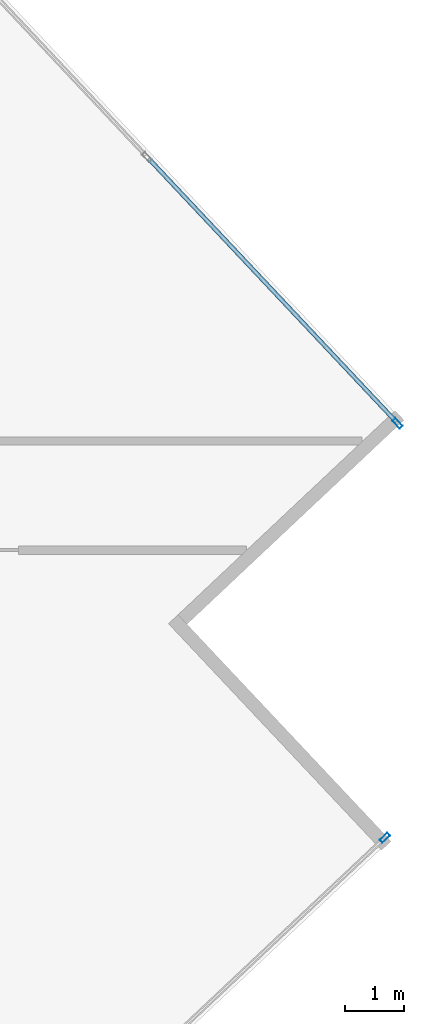
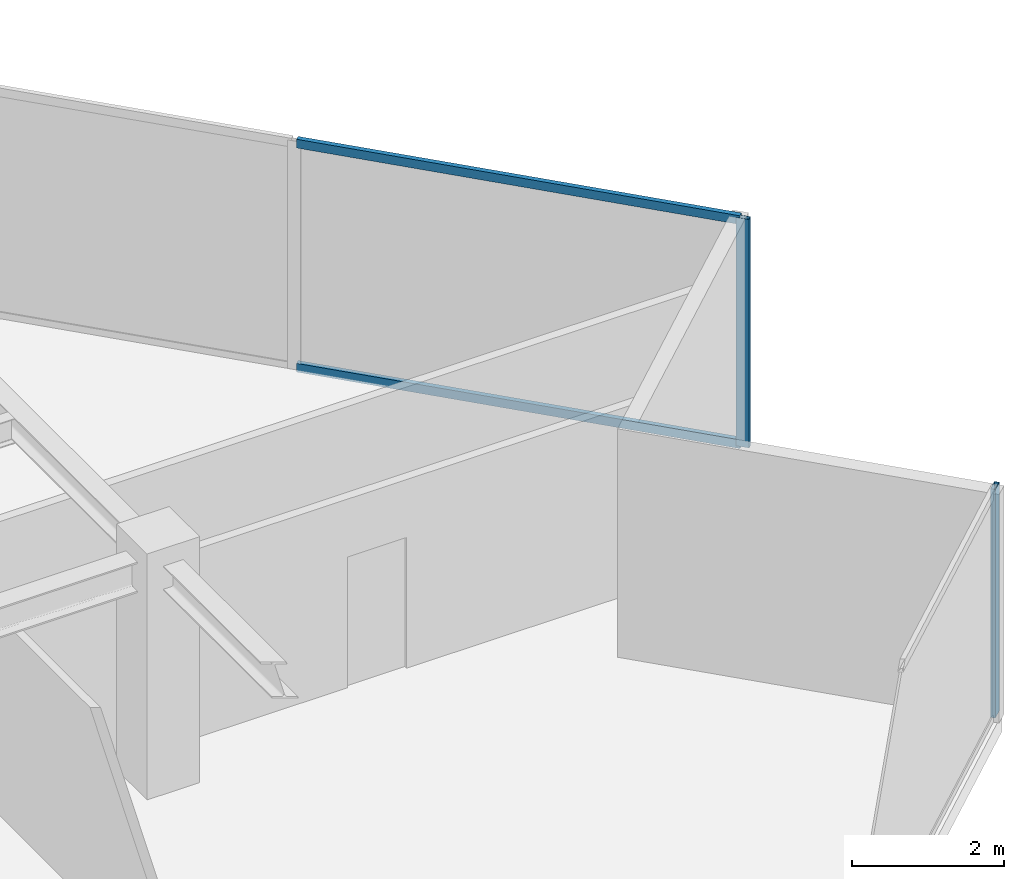
# One storey, part 12 of 24: 4 members, 2 elements without a shape of their own.
"""IFC4 building model written with IfcOpenShell, lengths in metres."""

from ifc_helpers import new_model, si_unit, direction, frame, origin, origin_2d, place, context, subcontext, project, spatial, hollow_rectangle, extrude, source, transform, mapped, material, material_profile, profile_set, type_object, type_shapes, element, aggregate, save


model = new_model("IFC4")

# Units and contexts
model_context = context("Model", 3, precision=1e-05, world=origin(), true_north=direction((0.0, 1.0)))
body_context = subcontext(model_context, "Body", "Model", "MODEL_VIEW")
ifc_project = project(units=[si_unit("LENGTHUNIT", "METRE"), si_unit("AREAUNIT", "SQUARE_METRE"), si_unit("VOLUMEUNIT", "CUBIC_METRE"), si_unit("PLANEANGLEUNIT", "RADIAN"), si_unit("MASSUNIT", "GRAM", prefix="KILO")], contexts=[model_context])

# Site, building, storey
site_placement = place(None, origin())
site = spatial("IfcSite", under=ifc_project, at=site_placement, CompositionType="ELEMENT")
building_placement = place(site_placement, origin())
building = spatial("IfcBuilding", under=site, at=building_placement, Name="Krantzveldt Concourse Tower", CompositionType="ELEMENT")
storey_placement = place(building_placement, frame((0.0, 0.0, 246.800048828125)))
storey = spatial("IfcBuildingStorey", under=building, at=storey_placement, Name="L60", CompositionType="ELEMENT", Elevation=246.800048828125)

# Curtain wall, member
ifc_material = material(Name="Anodised aluminium 6063-T6", Category="aluminium")
curtain_wall_type = type_object("IfcCurtainWallType", Name="CW3", PredefinedType="USERDEFINED", material=ifc_material)
curtain_wall_1_placement = place(storey_placement, origin())
curtain_wall_1 = element("IfcCurtainWall", 1, at=curtain_wall_1_placement, inside=storey, type_object=curtain_wall_type, Name="CW-L60-F11", ObjectType="UNITISED CURTAIN WALL", PredefinedType="USERDEFINED")
ifc_material_profile_1 = material_profile(ifc_material, hollow_rectangle(XDim=0.070068359375, YDim=0.179931640625, WallThickness=0.0048828125, at=origin_2d()), Name="Anodised aluminium 6063-T6", Category="aluminium")
ifc_profile_set_1 = profile_set([ifc_material_profile_1], Name="Anodised aluminium 6063-T6 - ALU-MULL 180x70x5")
member_type_1 = type_object("IfcMemberType", Name="CW-MUL-180", PredefinedType="MULLION", material=ifc_profile_set_1)
shared_shape_1 = source(origin(), body_context, "Body", "SweptSolid", [
    extrude(hollow_rectangle(XDim=0.070068359375, YDim=0.179931640625, WallThickness=0.0048828125, at=origin_2d()), origin(), (0.0, 0.0, 1.0), 3.669921875),
])
type_shapes(member_type_1, [shared_shape_1])
member_1_placement = place(storey_placement, frame((61.248779296875, 22.430419921875, 0.0), z_axis=(0.0, 0.0, 1.0), x_axis=(-0.685182945184, 0.728371012348, 0.0)))
member_1 = element("IfcMember", 2, at=member_1_placement, type_object=member_type_1, Name="CW-Z34 mullion 6", PredefinedType="MULLION", context=body_context, shape_type="MappedRepresentation", body=[
    mapped(shared_shape_1, transform((0.0, 0.0, 0.0), x_axis=(1.0, 0.0, 0.0), y_axis=(0.0, 1.0, 0.0), z_axis=(0.0, 0.0, 1.0), scale=1.0)),
])
aggregate(curtain_wall_1, [member_1])

# Curtain wall, members
curtain_wall_2_placement = place(storey_placement, origin())
curtain_wall_2 = element("IfcCurtainWall", 3, at=curtain_wall_2_placement, inside=storey, type_object=curtain_wall_type, Name="CW-L60-F14", ObjectType="UNITISED CURTAIN WALL", PredefinedType="USERDEFINED")
member_2_placement = place(storey_placement, frame((61.46240234375, 29.42041015625, 0.0), z_axis=(0.0, 0.0, 1.0), x_axis=(-0.728371012348, -0.685182945184, 0.0)))
member_2 = element("IfcMember", 4, at=member_2_placement, type_object=member_type_1, Name="CW-Z34 mullion 1", PredefinedType="MULLION", context=body_context, shape_type="MappedRepresentation", body=[
    mapped(shared_shape_1, transform((0.0, 0.0, 0.0), x_axis=(1.0, 0.0, 0.0), y_axis=(0.0, 1.0, 0.0), z_axis=(0.0, 0.0, 1.0), scale=1.0)),
])
ifc_material_profile_2 = material_profile(ifc_material, hollow_rectangle(XDim=0.070068359375, YDim=0.139892578125, WallThickness=0.0048828125, at=origin_2d()), Name="Anodised aluminium 6063-T6", Category="aluminium")
ifc_profile_set_2 = profile_set([ifc_material_profile_2], Name="Anodised aluminium 6063-T6 - ALU-TRAN 140x70x5")
member_type_2 = type_object("IfcMemberType", Name="CW-TRN-150", PredefinedType="USERDEFINED", material=ifc_profile_set_2)
shared_shape_2 = source(origin(), body_context, "Body", "SweptSolid", [
    extrude(hollow_rectangle(XDim=0.070068359375, YDim=0.139892578125, WallThickness=0.0048828125, at=origin_2d()), origin(), (0.0, 0.0, 1.0), 6.094970703125),
])
type_shapes(member_type_2, [shared_shape_2])
member_3_placement = place(storey_placement, frame((61.4384765625, 29.44580078125, 0.034912109375), z_axis=(-0.685187259072, 0.728366954224, 0.0), x_axis=(-0.728366954224, -0.685187259072, 0.0)))
member_3 = element("IfcMember", 5, at=member_3_placement, type_object=member_type_2, Name="CW-Z34 transom 1.1", ObjectType="TRANSOM", PredefinedType="USERDEFINED", context=body_context, shape_type="MappedRepresentation", body=[
    mapped(shared_shape_2, transform((0.0, 0.0, 0.0), x_axis=(1.0, 0.0, 0.0), y_axis=(0.0, 1.0, 0.0), z_axis=(0.0, 0.0, 1.0), scale=1.0)),
])
member_4_placement = place(storey_placement, frame((61.4384765625, 29.44580078125, 3.635009765625), z_axis=(-0.685187259072, 0.728366954224, 0.0), x_axis=(-0.728366954224, -0.685187259072, 0.0)))
member_4 = element("IfcMember", 6, at=member_4_placement, type_object=member_type_2, Name="CW-Z34 transom 1.2", ObjectType="TRANSOM", PredefinedType="USERDEFINED", context=body_context, shape_type="MappedRepresentation", body=[
    mapped(shared_shape_2, transform((0.0, 0.0, 0.0), x_axis=(1.0, 0.0, 0.0), y_axis=(0.0, 1.0, 0.0), z_axis=(0.0, 0.0, 1.0), scale=1.0)),
])
aggregate(curtain_wall_2, [member_2, member_3, member_4])

save(model, "model.ifc")
